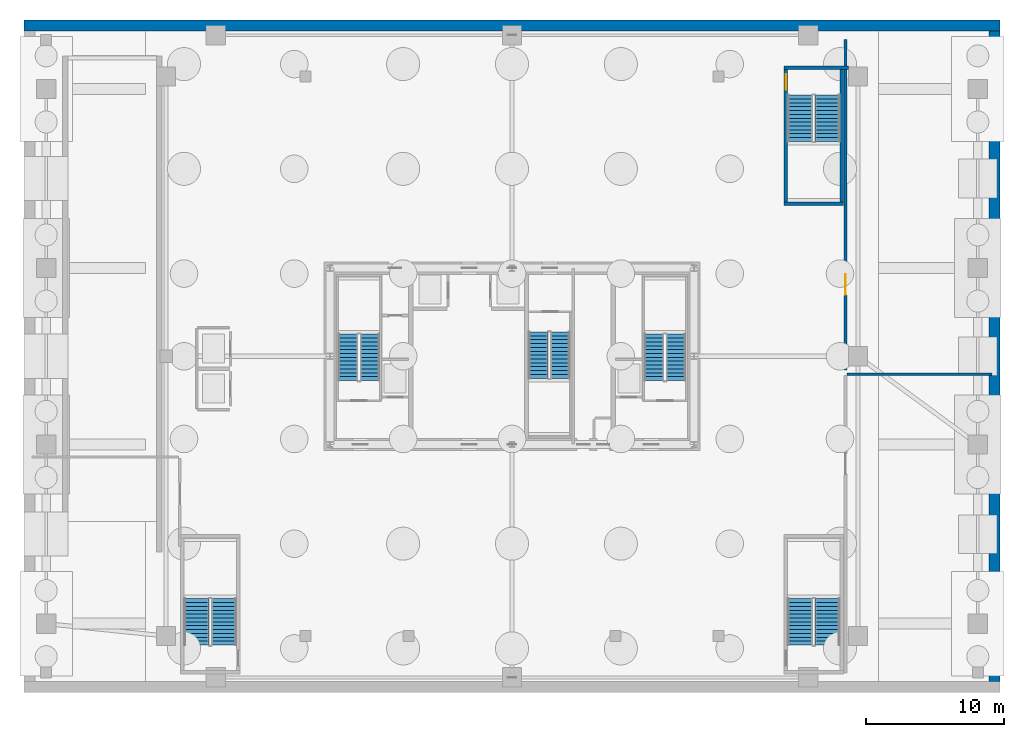
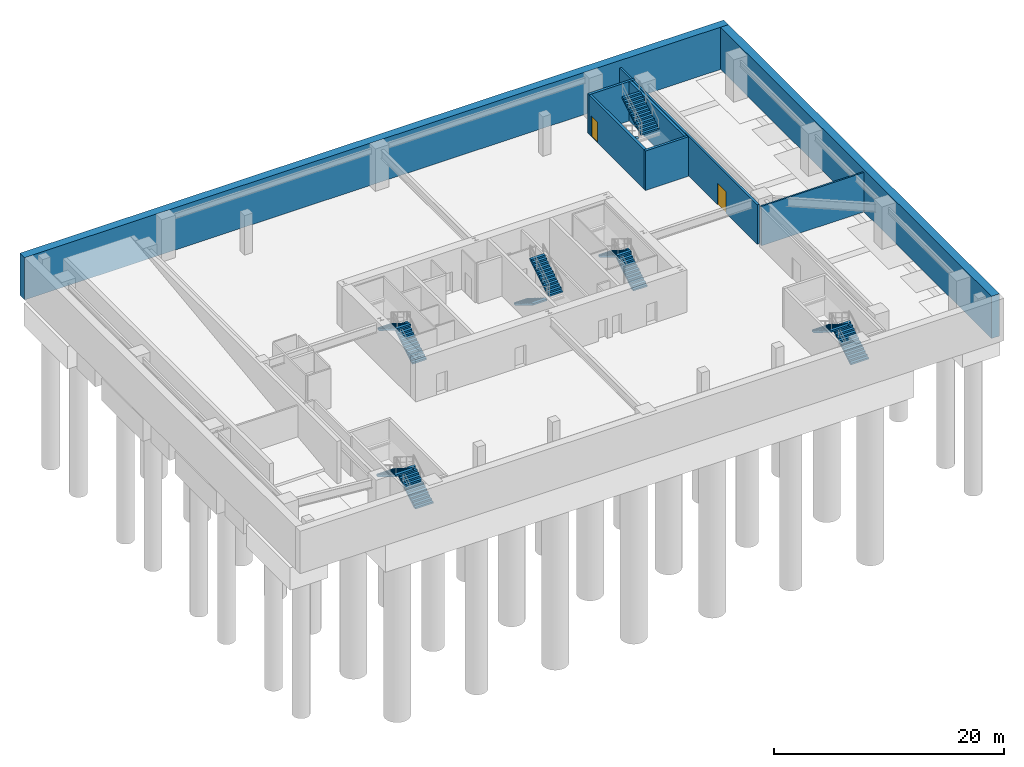
# One storey, part 6 of 10: 12 stair flights, 8 walls, 2 doors, 2 openings, 6 elements without a shape of their own.
"""IFC4 building model written with IfcOpenShell, lengths in metres."""

from ifc_helpers import new_model, si_unit, direction, frame, frame_2d, origin, place, context, subcontext, project, spatial, polyline, rectangle, outline, extrude, source, transform, mapped, material, layer, layer_set, type_object, element, fill, aggregate, save


model = new_model("IFC4")

# Units and contexts
model_context = context("Model", 3, precision=1e-05, world=origin(), true_north=direction((0.0, 1.0)))
body_context = subcontext(model_context, "Body", "Model", "MODEL_VIEW")
ifc_project = project(units=[si_unit("LENGTHUNIT", "METRE"), si_unit("AREAUNIT", "SQUARE_METRE"), si_unit("VOLUMEUNIT", "CUBIC_METRE"), si_unit("PLANEANGLEUNIT", "RADIAN"), si_unit("MASSUNIT", "GRAM", prefix="KILO"), si_unit("THERMODYNAMICTEMPERATUREUNIT", "KELVIN"), si_unit("POWERUNIT", "WATT")], contexts=[model_context])

# Site, building, storey
site_placement = place(None, origin())
site = spatial("IfcSite", under=ifc_project, at=site_placement, CompositionType="ELEMENT")
building_placement = place(site_placement, origin())
building = spatial("IfcBuilding", under=site, at=building_placement, Name="Yuzanri Waterfront Tower", CompositionType="ELEMENT")
storey_placement = place(building_placement, frame((0.0, 0.0, -9.0)))
storey = spatial("IfcBuildingStorey", under=building, at=storey_placement, Name="B02", CompositionType="ELEMENT", Elevation=-9.0)

# Wall, opening, door
ifc_material_1 = material(Name="Autoclaved Aerated Concrete Blockwork", Category="masonry")
ifc_layer_1 = layer(ifc_material_1, 0.199951171875)
ifc_layer_set_1 = layer_set([ifc_layer_1], Name="Autoclaved Aerated Concrete Blockwork")
wall_type_1 = type_object("IfcWallType", Name="Corridor and Unit Party Fire Wall 200", PredefinedType="PARTITIONING", material=ifc_layer_set_1)
wall_1_placement = place(storey_placement, frame((61.199951171875, 24.800048828125, 0.0), z_axis=(0.0, 0.0, 1.0), x_axis=(0.0, 1.0, 0.0)))
wall_1 = element("IfcWall", 1, at=wall_1_placement, inside=storey, type_object=wall_type_1, Name="B02 Partition PRW-B02-030-W", PredefinedType="PARTITIONING", context=body_context, shape_type="SweptSolid", body=[
    extrude(rectangle(XDim=24.0, YDim=0.199951171875, at=frame_2d((12.0, 0.0))), origin(), (0.0, 0.0, 1.0), 4.199951171875),
])
opening_1_placement = place(wall_1_placement, frame((5.449951171875, 0.0, 0.0)))
opening_1 = element("IfcOpeningElement", 2, at=opening_1_placement, cuts=wall_1, Name="Opening FD-1500", PredefinedType="OPENING", context=body_context, shape_type="SweptSolid", body=[
    extrude(rectangle(XDim=1.5, YDim=2.300048828125, at=frame_2d((0.75, 1.14990234375))), frame((0.0, 0.11474609375, 0.0), z_axis=(0.0, -1.0, 0.0), x_axis=(1.0, 0.0, 0.0)), (0.0, 0.0, 1.0), 0.229736328125),
])
ifc_material_2 = material(Name="Painted Galvanized Fire Steel", Category="steel")
door_type_1 = type_object("IfcDoorType", Name="Plant and Ballroom Double Fire Door 1500x2300", OperationType="NOTDEFINED", PredefinedType="DOOR", material=ifc_material_2)
shared_shape_1 = source(origin(), body_context, "Body", "SweptSolid", [
    extrude(rectangle(XDim=1.5, YDim=2.300048828125, at=frame_2d((0.75, 1.14990234375))), frame((0.0, 0.02490234375, 0.0), z_axis=(0.0, -1.0, 0.0), x_axis=(1.0, 0.0, 0.0)), (0.0, 0.0, 1.0), 0.050048828125),
])
door_1_placement = place(opening_1_placement, origin())
door_1 = element("IfcDoor", 3, at=door_1_placement, inside=storey, type_object=door_type_1, Name="B02 Domestic and Fire Water Pump Room", OperationType="DOUBLE_DOOR_SINGLE_SWING", OverallHeight=2.300048828125, OverallWidth=1.5, PredefinedType="DOOR", context=body_context, shape_type="MappedRepresentation", body=[
    mapped(shared_shape_1, transform((0.0, 0.0, 0.0), scale=1.0)),
])
fill(opening_1, door_1)

ifc_material_3 = material(Name="Concrete C40", Category="concrete")
ifc_layer_2 = layer(ifc_material_3, 0.25)
ifc_layer_set_2 = layer_set([ifc_layer_2], Name="Concrete C40")
wall_type_2 = type_object("IfcWallType", Name="Smoke-Proof Stair and Lift Shaft Wall 250", PredefinedType="SOLIDWALL", material=ifc_layer_set_2)
wall_2_placement = place(storey_placement, frame((56.875, 37.0, 0.0), z_axis=(0.0, 0.0, 1.0), x_axis=(0.0, 1.0, 0.0)))
wall_2 = element("IfcWall", 4, at=wall_2_placement, inside=storey, type_object=wall_type_2, Name="B02 Shaft Wall PSTW-B02-PST-03-W", PredefinedType="SOLIDWALL", context=body_context, shape_type="SweptSolid", body=[
    extrude(rectangle(XDim=9.60009765625, YDim=0.25, at=frame_2d((4.800048828125, 0.0))), origin(), (0.0, 0.0, 1.0), 4.199951171875),
])
opening_2_placement = place(wall_2_placement, frame((8.14990234375, 0.0, 0.0)))
opening_2 = element("IfcOpeningElement", 5, at=opening_2_placement, cuts=wall_2, Name="Opening FD-1100", PredefinedType="OPENING", context=body_context, shape_type="SweptSolid", body=[
    extrude(rectangle(XDim=1.10009765625, YDim=2.199951171875, at=frame_2d((0.550048828125, 1.10009765625))), frame((0.0, 0.139892578125, 0.0), z_axis=(0.0, -1.0, 0.0), x_axis=(1.0, 0.0, 0.0)), (0.0, 0.0, 1.0), 0.27978515625),
])
ifc_material_4 = material(Name="Painted Galvanized Fire Steel", Category="steel")
door_type_2 = type_object("IfcDoorType", Name="Smoke-Proof Stair and Lobby Fire Door 1100x2200", OperationType="NOTDEFINED", PredefinedType="DOOR", material=ifc_material_4)
shared_shape_2 = source(origin(), body_context, "Body", "SweptSolid", [
    extrude(rectangle(XDim=1.10009765625, YDim=2.199951171875, at=frame_2d((0.550048828125, 1.10009765625))), frame((0.0, 0.02490234375, 0.0), z_axis=(0.0, -1.0, 0.0), x_axis=(1.0, 0.0, 0.0)), (0.0, 0.0, 1.0), 0.050048828125),
])
door_2_placement = place(opening_2_placement, origin())
door_2 = element("IfcDoor", 6, at=door_2_placement, inside=storey, type_object=door_type_2, Name="B02 PST-03 Stair Door", OperationType="SINGLE_SWING_RIGHT", OverallHeight=2.199951171875, OverallWidth=1.10009765625, PredefinedType="DOOR", context=body_context, shape_type="MappedRepresentation", body=[
    mapped(shared_shape_2, transform((0.0, 0.0, 0.0), scale=1.0)),
])
fill(opening_2, door_2)

# Walls
ifc_material_5 = material(Name="Concrete C50", Category="concrete")
ifc_layer_3 = layer(ifc_material_5, 0.800048828125)
ifc_layer_set_3 = layer_set([ifc_layer_3], Name="Concrete C50")
wall_type_3 = type_object("IfcWallType", Name="Concrete C50 Basement Perimeter Waterproof Retaining Wall 800", PredefinedType="USERDEFINED", material=ifc_layer_set_3)
shared_shape_3 = source(origin(), body_context, "Body", "SweptSolid", [
    extrude(rectangle(XDim=70.7998046875, YDim=0.800048828125, at=frame_2d((35.39990234375, 0.0))), origin(), (0.0, 0.0, 1.0), 4.5),
])
wall_3_placement = place(storey_placement, frame((1.60009765625, 49.800048828125, 0.0), z_axis=(0.0, 0.0, 1.0), x_axis=(1.0, 0.0, 0.0)))
element("IfcWall", 7, at=wall_3_placement, inside=storey, type_object=wall_type_3, Name="B02 North Retaining Wall", ObjectType="RETAININGWALL", PredefinedType="USERDEFINED", context=body_context, shape_type="MappedRepresentation", body=[
    mapped(shared_shape_3, transform((0.0, 0.0, 0.0), scale=1.0)),
])
shared_shape_4 = source(origin(), body_context, "Body", "SweptSolid", [
    extrude(rectangle(XDim=47.199951171875, YDim=0.800048828125, at=frame_2d((23.60009765625, 0.0))), origin(), (0.0, 0.0, 1.0), 4.5),
])
wall_4_placement = place(storey_placement, frame((72.0, 2.199951171875, 0.0), z_axis=(0.0, 0.0, 1.0), x_axis=(0.0, 1.0, 0.0)))
element("IfcWall", 8, at=wall_4_placement, inside=storey, type_object=wall_type_3, Name="B02 East Retaining Wall", ObjectType="RETAININGWALL", PredefinedType="USERDEFINED", context=body_context, shape_type="MappedRepresentation", body=[
    mapped(shared_shape_4, transform((0.0, 0.0, 0.0), scale=1.0)),
])
shared_shape_5 = source(origin(), body_context, "Body", "SweptSolid", [
    extrude(rectangle(XDim=4.300048828125, YDim=0.25, at=frame_2d((2.14990234375, 0.0))), origin(), (0.0, 0.0, 1.0), 4.199951171875),
])
wall_5_placement = place(storey_placement, frame((56.75, 36.875, 0.0), z_axis=(0.0, 0.0, 1.0), x_axis=(1.0, 0.0, 0.0)))
element("IfcWall", 9, at=wall_5_placement, inside=storey, type_object=wall_type_2, Name="B02 PST-03 South Wall", PredefinedType="SOLIDWALL", context=body_context, shape_type="MappedRepresentation", body=[
    mapped(shared_shape_5, transform((0.0, 0.0, 0.0), scale=1.0)),
])
shared_shape_6 = source(origin(), body_context, "Body", "SweptSolid", [
    extrude(rectangle(XDim=9.60009765625, YDim=0.25, at=frame_2d((4.800048828125, 0.0))), origin(), (0.0, 0.0, 1.0), 4.199951171875),
])
wall_6_placement = place(storey_placement, frame((60.925048828125, 37.0, 0.0), z_axis=(0.0, 0.0, 1.0), x_axis=(0.0, 1.0, 0.0)))
element("IfcWall", 10, at=wall_6_placement, inside=storey, type_object=wall_type_2, Name="B02 Shaft Wall PSTW-B02-PST-03-E", PredefinedType="SOLIDWALL", context=body_context, shape_type="MappedRepresentation", body=[
    mapped(shared_shape_6, transform((0.0, 0.0, 0.0), scale=1.0)),
])
shared_shape_7 = source(origin(), body_context, "Body", "SweptSolid", [
    extrude(rectangle(XDim=4.64990234375, YDim=0.25, at=frame_2d((2.324951171875, 0.0))), origin(), (0.0, 0.0, 1.0), 4.199951171875),
])
wall_7_placement = place(storey_placement, frame((56.75, 46.72509765625, 0.0), z_axis=(0.0, 0.0, 1.0), x_axis=(1.0, 0.0, 0.0)))
element("IfcWall", 11, at=wall_7_placement, inside=storey, type_object=wall_type_2, Name="B02 PST-03 North Wall", PredefinedType="SOLIDWALL", context=body_context, shape_type="MappedRepresentation", body=[
    mapped(shared_shape_7, transform((0.0, 0.0, 0.0), scale=1.0)),
])
ifc_material_6 = material(Name="Gypsum Fireboard Acoustic Stud Wall", Category="gypsum")
ifc_layer_4 = layer(ifc_material_6, 0.159912109375)
ifc_layer_set_4 = layer_set([ifc_layer_4], Name="Gypsum Fireboard Acoustic Stud Wall")
wall_type_4 = type_object("IfcWallType", Name="Acoustic Suite Demising Partition 160", PredefinedType="PARTITIONING", material=ifc_layer_set_4)
shared_shape_8 = source(origin(), body_context, "Body", "SweptSolid", [
    extrude(rectangle(XDim=10.52001953125, YDim=0.159912109375, at=frame_2d((5.260009765625, 0.0))), origin(), (0.0, 0.0, 1.0), 4.199951171875),
])
wall_8_placement = place(storey_placement, frame((61.300048828125, 24.5, 0.0), z_axis=(0.0, 0.0, 1.0), x_axis=(1.0, 0.0, 0.0)))
element("IfcWall", 12, at=wall_8_placement, inside=storey, type_object=wall_type_4, Name="B02-029 North Partition", PredefinedType="PARTITIONING", context=body_context, shape_type="MappedRepresentation", body=[
    mapped(shared_shape_8, transform((0.0, 0.0, 0.0), scale=1.0)),
])

# Stair, stair flights
ifc_material_7 = material(Name="Concrete C40", Category="concrete")
stair_type_1 = type_object("IfcStairType", Name="Concrete C40 Core Dogleg Exit Stair", PredefinedType="HALF_TURN_STAIR", material=ifc_material_7)
stair_1_placement = place(storey_placement, origin())
stair_1 = element("IfcStair", 13, at=stair_1_placement, inside=storey, type_object=stair_type_1, Name="B02 Smoke-Proof Core Stair ST-01", PredefinedType="HALF_TURN_STAIR")
ifc_material_8 = material(Name="Concrete C40", Category="concrete")
stair_flight_type_1 = type_object("IfcStairFlightType", Name="Concrete C40 Tall-Storey Precast Stair Flight 1380", PredefinedType="STRAIGHT", material=ifc_material_8)
shared_shape_9 = source(origin(), body_context, "Body", "SweptSolid", [
    extrude(outline(polyline([(0.0, 0.0), (0.0, 0.173095703125), (0.280029296875, 0.173095703125), (0.280029296875, 0.34619140625), (0.56005859375, 0.34619140625), (0.56005859375, 0.519287109375), (0.840087890625, 0.519287109375), (0.840087890625, 0.6923828125), (1.1201171875, 0.6923828125), (1.1201171875, 0.865478515625), (1.39990234375, 0.865478515625), (1.39990234375, 1.03857421875), (1.679931640625, 1.03857421875), (1.679931640625, 1.21142578125), (1.9599609375, 1.21142578125), (1.9599609375, 1.384521484375), (2.239990234375, 1.384521484375), (2.239990234375, 1.5576171875), (2.52001953125, 1.5576171875), (2.52001953125, 1.730712890625), (2.800048828125, 1.730712890625), (2.800048828125, 1.90380859375), (3.080078125, 1.90380859375), (3.080078125, 2.076904296875), (3.360107421875, 2.076904296875), (3.360107421875, 2.25), (3.360107421875, 1.900634765625), (0.28515625, 0.0), (0.0, 0.0)])), frame((0.0, 0.699951171875, 0.0), z_axis=(0.0, -1.0, 0.0), x_axis=(1.0, 0.0, 0.0)), (0.0, 0.0, 1.0), 1.39990234375),
])
stair_flight_1_placement = place(storey_placement, frame((26.699951171875, 24.0400390625, 0.0), z_axis=(0.0, 0.0, 1.0), x_axis=(0.0, 1.0, 0.0)))
stair_flight_1 = element("IfcStairFlight", 14, at=stair_flight_1_placement, type_object=stair_flight_type_1, Name="ST-01 flight 1", NumberOfRisers=13, NumberOfTreads=12, PredefinedType="STRAIGHT", RiserHeight=0.173076923, TreadLength=0.28, context=body_context, shape_type="MappedRepresentation", body=[
    mapped(shared_shape_9, transform((0.0, 0.0, 0.0), scale=1.0)),
])
stair_flight_2_placement = place(storey_placement, frame((25.10009765625, 27.39990234375, 2.25), z_axis=(0.0, 0.0, 1.0), x_axis=(0.0, -1.0, 0.0)))
stair_flight_2 = element("IfcStairFlight", 15, at=stair_flight_2_placement, type_object=stair_flight_type_1, Name="ST-01 flight 2", NumberOfRisers=13, NumberOfTreads=12, PredefinedType="STRAIGHT", RiserHeight=0.173076923, TreadLength=0.28, context=body_context, shape_type="MappedRepresentation", body=[
    mapped(shared_shape_9, transform((0.0, 0.0, 0.0), scale=1.0)),
])
aggregate(stair_1, [stair_flight_1, stair_flight_2])

stair_2_placement = place(storey_placement, origin())
stair_2 = element("IfcStair", 16, at=stair_2_placement, inside=storey, type_object=stair_type_1, Name="B02 Smoke-Proof Core Stair ST-02", PredefinedType="HALF_TURN_STAIR")
stair_flight_3_placement = place(storey_placement, frame((48.89990234375, 24.0400390625, 0.0), z_axis=(0.0, 0.0, 1.0), x_axis=(0.0, 1.0, 0.0)))
stair_flight_3 = element("IfcStairFlight", 17, at=stair_flight_3_placement, type_object=stair_flight_type_1, Name="ST-02 flight 1", NumberOfRisers=13, NumberOfTreads=12, PredefinedType="STRAIGHT", RiserHeight=0.173076923, TreadLength=0.28, context=body_context, shape_type="MappedRepresentation", body=[
    mapped(shared_shape_9, transform((0.0, 0.0, 0.0), scale=1.0)),
])
stair_flight_4_placement = place(storey_placement, frame((47.300048828125, 27.39990234375, 2.25), z_axis=(0.0, 0.0, 1.0), x_axis=(0.0, -1.0, 0.0)))
stair_flight_4 = element("IfcStairFlight", 18, at=stair_flight_4_placement, type_object=stair_flight_type_1, Name="ST-02 flight 2", NumberOfRisers=13, NumberOfTreads=12, PredefinedType="STRAIGHT", RiserHeight=0.173076923, TreadLength=0.28, context=body_context, shape_type="MappedRepresentation", body=[
    mapped(shared_shape_9, transform((0.0, 0.0, 0.0), scale=1.0)),
])
aggregate(stair_2, [stair_flight_3, stair_flight_4])

stair_3_placement = place(storey_placement, origin())
stair_3 = element("IfcStair", 19, at=stair_3_placement, inside=storey, type_object=stair_type_1, Name="B02 Smoke-Proof Core Stair ST-03", PredefinedType="HALF_TURN_STAIR")
stair_flight_5_placement = place(storey_placement, frame((38.89990234375, 27.56005859375, 0.0), z_axis=(0.0, 0.0, 1.0), x_axis=(0.0, -1.0, 0.0)))
stair_flight_5 = element("IfcStairFlight", 20, at=stair_flight_5_placement, type_object=stair_flight_type_1, Name="ST-03 flight 1", NumberOfRisers=13, NumberOfTreads=12, PredefinedType="STRAIGHT", RiserHeight=0.173076923, TreadLength=0.28, context=body_context, shape_type="MappedRepresentation", body=[
    mapped(shared_shape_9, transform((0.0, 0.0, 0.0), scale=1.0)),
])
stair_flight_6_placement = place(storey_placement, frame((40.5, 24.199951171875, 2.25), z_axis=(0.0, 0.0, 1.0), x_axis=(0.0, 1.0, 0.0)))
stair_flight_6 = element("IfcStairFlight", 21, at=stair_flight_6_placement, type_object=stair_flight_type_1, Name="ST-03 flight 2", NumberOfRisers=13, NumberOfTreads=12, PredefinedType="STRAIGHT", RiserHeight=0.173076923, TreadLength=0.28, context=body_context, shape_type="MappedRepresentation", body=[
    mapped(shared_shape_9, transform((0.0, 0.0, 0.0), scale=1.0)),
])
aggregate(stair_3, [stair_flight_5, stair_flight_6])

ifc_material_9 = material(Name="Concrete C40", Category="concrete")
stair_type_2 = type_object("IfcStairType", Name="Concrete C40 Podium Dogleg Exit Stair", PredefinedType="HALF_TURN_STAIR", material=ifc_material_9)
stair_4_placement = place(storey_placement, origin())
stair_4 = element("IfcStair", 22, at=stair_4_placement, inside=storey, type_object=stair_type_2, Name="B02 Podium Public Exit Stair PST-01", PredefinedType="HALF_TURN_STAIR")
ifc_material_10 = material(Name="Concrete C40", Category="concrete")
stair_flight_type_2 = type_object("IfcStairFlightType", Name="Concrete C40 Precast Podium Stair Flight 1400", PredefinedType="STRAIGHT", material=ifc_material_10)
shared_shape_10 = source(origin(), body_context, "Body", "SweptSolid", [
    extrude(outline(polyline([(0.0, 0.0), (0.0, 0.173095703125), (0.280029296875, 0.173095703125), (0.280029296875, 0.34619140625), (0.56005859375, 0.34619140625), (0.56005859375, 0.519287109375), (0.840087890625, 0.519287109375), (0.840087890625, 0.6923828125), (1.1201171875, 0.6923828125), (1.1201171875, 0.865478515625), (1.39990234375, 0.865478515625), (1.39990234375, 1.03857421875), (1.679931640625, 1.03857421875), (1.679931640625, 1.21142578125), (1.9599609375, 1.21142578125), (1.9599609375, 1.384521484375), (2.239990234375, 1.384521484375), (2.239990234375, 1.5576171875), (2.52001953125, 1.5576171875), (2.52001953125, 1.730712890625), (2.800048828125, 1.730712890625), (2.800048828125, 1.90380859375), (3.080078125, 1.90380859375), (3.080078125, 2.076904296875), (3.360107421875, 2.076904296875), (3.360107421875, 2.25), (3.360107421875, 1.900634765625), (0.28515625, 0.0), (0.0, 0.0)])), frame((0.0, 0.89990234375, 0.0), z_axis=(0.0, -1.0, 0.0), x_axis=(1.0, 0.0, 0.0)), (0.0, 0.0, 1.0), 1.800048828125),
])
stair_flight_7_placement = place(storey_placement, frame((16.10009765625, 4.85009765625, 0.0), z_axis=(0.0, 0.0, 1.0), x_axis=(0.0, 1.0, 0.0)))
stair_flight_7 = element("IfcStairFlight", 23, at=stair_flight_7_placement, type_object=stair_flight_type_2, Name="PST-01 flight 1", NumberOfRisers=13, NumberOfTreads=12, PredefinedType="STRAIGHT", RiserHeight=0.173076923, TreadLength=0.28, context=body_context, shape_type="MappedRepresentation", body=[
    mapped(shared_shape_10, transform((0.0, 0.0, 0.0), scale=1.0)),
])
stair_flight_8_placement = place(storey_placement, frame((14.10009765625, 8.2099609375, 2.25), z_axis=(0.0, 0.0, 1.0), x_axis=(0.0, -1.0, 0.0)))
stair_flight_8 = element("IfcStairFlight", 24, at=stair_flight_8_placement, type_object=stair_flight_type_2, Name="PST-01 flight 2", NumberOfRisers=13, NumberOfTreads=12, PredefinedType="STRAIGHT", RiserHeight=0.173076923, TreadLength=0.28, context=body_context, shape_type="MappedRepresentation", body=[
    mapped(shared_shape_10, transform((0.0, 0.0, 0.0), scale=1.0)),
])
aggregate(stair_4, [stair_flight_7, stair_flight_8])

stair_5_placement = place(storey_placement, origin())
stair_5 = element("IfcStair", 25, at=stair_5_placement, inside=storey, type_object=stair_type_2, Name="B02 Podium Public Exit Stair PST-02", PredefinedType="HALF_TURN_STAIR")
stair_flight_9_placement = place(storey_placement, frame((59.89990234375, 4.85009765625, 0.0), z_axis=(0.0, 0.0, 1.0), x_axis=(0.0, 1.0, 0.0)))
stair_flight_9 = element("IfcStairFlight", 26, at=stair_flight_9_placement, type_object=stair_flight_type_2, Name="PST-02 flight 1", NumberOfRisers=13, NumberOfTreads=12, PredefinedType="STRAIGHT", RiserHeight=0.173076923, TreadLength=0.28, context=body_context, shape_type="MappedRepresentation", body=[
    mapped(shared_shape_10, transform((0.0, 0.0, 0.0), scale=1.0)),
])
stair_flight_10_placement = place(storey_placement, frame((57.89990234375, 8.2099609375, 2.25), z_axis=(0.0, 0.0, 1.0), x_axis=(0.0, -1.0, 0.0)))
stair_flight_10 = element("IfcStairFlight", 27, at=stair_flight_10_placement, type_object=stair_flight_type_2, Name="PST-02 flight 2", NumberOfRisers=13, NumberOfTreads=12, PredefinedType="STRAIGHT", RiserHeight=0.173076923, TreadLength=0.28, context=body_context, shape_type="MappedRepresentation", body=[
    mapped(shared_shape_10, transform((0.0, 0.0, 0.0), scale=1.0)),
])
aggregate(stair_5, [stair_flight_9, stair_flight_10])

stair_6_placement = place(storey_placement, origin())
stair_6 = element("IfcStair", 28, at=stair_6_placement, inside=storey, type_object=stair_type_2, Name="B02 Podium Public Exit Stair PST-03", PredefinedType="HALF_TURN_STAIR")
stair_flight_11_placement = place(storey_placement, frame((57.89990234375, 44.75, 0.0), z_axis=(0.0, 0.0, 1.0), x_axis=(0.0, -1.0, 0.0)))
stair_flight_11 = element("IfcStairFlight", 29, at=stair_flight_11_placement, type_object=stair_flight_type_2, Name="PST-03 flight 1", NumberOfRisers=13, NumberOfTreads=12, PredefinedType="STRAIGHT", RiserHeight=0.173076923, TreadLength=0.28, context=body_context, shape_type="MappedRepresentation", body=[
    mapped(shared_shape_10, transform((0.0, 0.0, 0.0), scale=1.0)),
])
stair_flight_12_placement = place(storey_placement, frame((59.89990234375, 41.389892578125, 2.25), z_axis=(0.0, 0.0, 1.0), x_axis=(0.0, 1.0, 0.0)))
stair_flight_12 = element("IfcStairFlight", 30, at=stair_flight_12_placement, type_object=stair_flight_type_2, Name="PST-03 flight 2", NumberOfRisers=13, NumberOfTreads=12, PredefinedType="STRAIGHT", RiserHeight=0.173076923, TreadLength=0.28, context=body_context, shape_type="MappedRepresentation", body=[
    mapped(shared_shape_10, transform((0.0, 0.0, 0.0), scale=1.0)),
])
aggregate(stair_6, [stair_flight_11, stair_flight_12])

save(model, "model.ifc")
